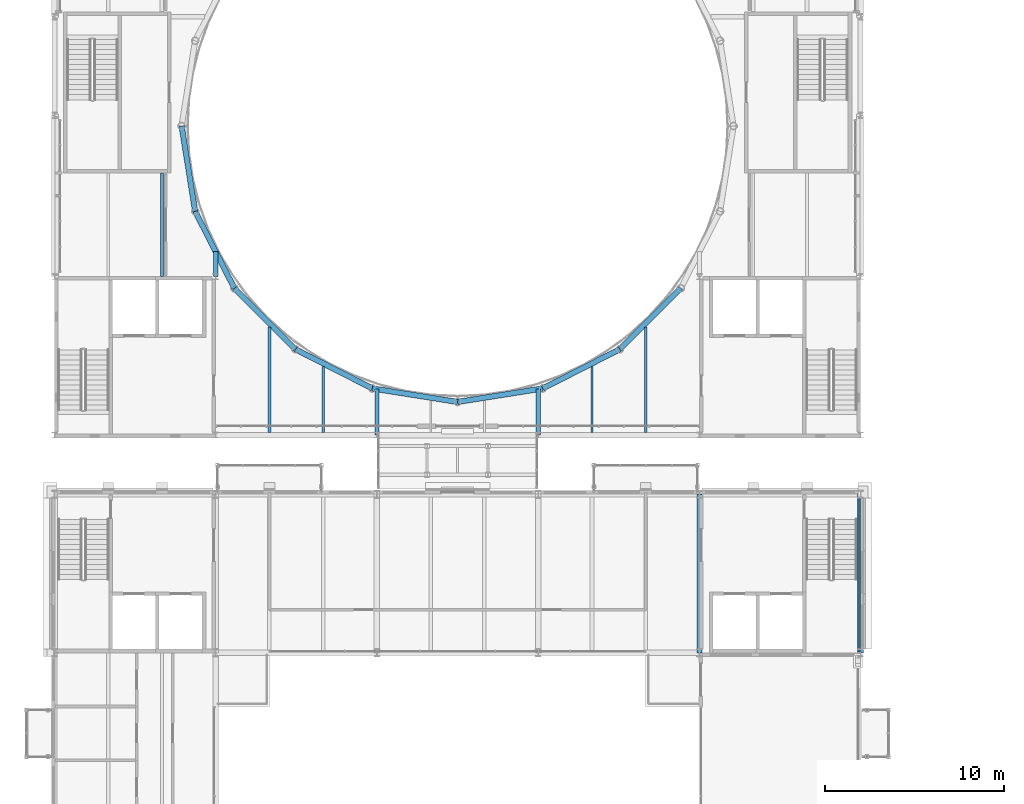
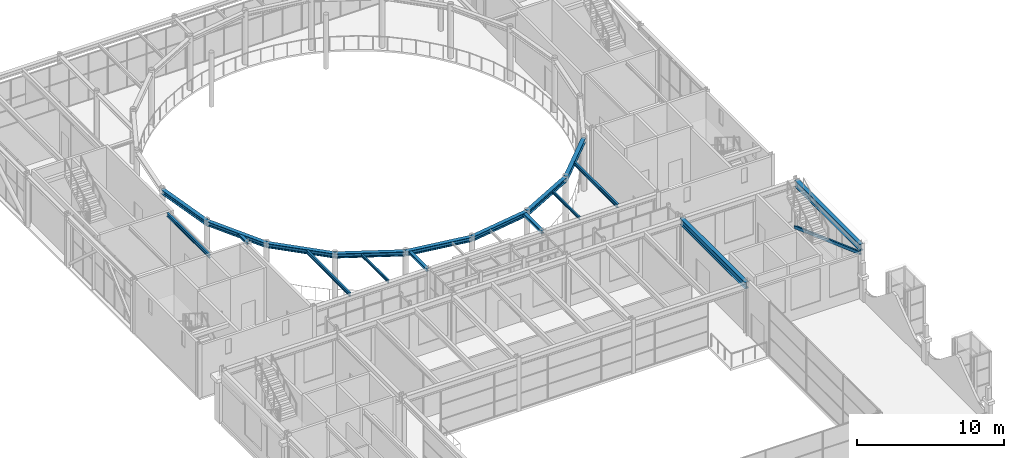
# One storey, part 41 of 111: 18 beams, 1 member.
"""IFC4 building model written with IfcOpenShell, lengths in metres."""

from ifc_helpers import new_model, si_unit, direction, frame, origin, origin_2d, place, context, subcontext, project, spatial, hollow_rectangle, i_section, extrude, material, material_profile, profile_set, type_object, element, save


model = new_model("IFC4")

# Units and contexts
model_context = context("Model", 3, precision=1e-05, world=origin(), true_north=direction((0.0, 1.0)))
body_context = subcontext(model_context, "Body", "Model", "MODEL_VIEW")
ifc_project = project(units=[si_unit("LENGTHUNIT", "METRE"), si_unit("AREAUNIT", "SQUARE_METRE"), si_unit("VOLUMEUNIT", "CUBIC_METRE"), si_unit("PLANEANGLEUNIT", "RADIAN"), si_unit("MASSUNIT", "GRAM", prefix="KILO")], contexts=[model_context])

# Site, building, storey
site_placement = place(None, origin())
site = spatial("IfcSite", under=ifc_project, at=site_placement, CompositionType="ELEMENT")
building_placement = place(site_placement, origin())
building = spatial("IfcBuilding", under=site, at=building_placement, Name="Kallimachos Central Library", CompositionType="ELEMENT")
storey_placement = place(building_placement, frame((0.0, 0.0, 14.39990234375)))
storey = spatial("IfcBuildingStorey", under=building, at=storey_placement, Name="L03", CompositionType="ELEMENT", Elevation=14.39990234375)

# Beams
ifc_material_1 = material(Name="Steel S355J2", Category="steel")
ifc_material_profile_1 = material_profile(ifc_material_1, i_section(OverallWidth=0.239990234375, OverallDepth=0.22998046875, WebThickness=0.007568359375, FlangeThickness=0.011962890625, FilletRadius=0.02099609375, at=origin_2d()), Name="HEA 240")
ifc_profile_set_1 = profile_set([ifc_material_profile_1], Name="Steel S355J2")
beam_type_1 = type_object("IfcBeamType", Name="HEA 240 beam", PredefinedType="BEAM", material=ifc_profile_set_1)
beam_1_placement = place(storey_placement, frame((74.5, 96.0, 4.235107421875), z_axis=(0.0, 1.0, 0.0), x_axis=(-1.0, 0.0, 0.0)))
element("IfcBeam", 1, at=beam_1_placement, inside=storey, type_object=beam_type_1, Name="V1-BEM-L03-025", PredefinedType="BEAM", context=body_context, shape_type="SweptSolid", body=[
    extrude(i_section(OverallWidth=0.239990234375, OverallDepth=0.22998046875, WebThickness=0.007568359375, FlangeThickness=0.011962890625, FilletRadius=0.02099609375, at=origin_2d()), origin(), (0.0, 0.0, 1.0), 1.391357421875),
])
for number, where, z_axis, x_axis, name in (
    (2, (83.5, 87.14990234375, 4.235107421875), (0.0, 1.0, 0.0), (-1.0, 0.0, 0.0), "V1-BEM-L03-028"),
    (3, (92.5, 87.14990234375, 4.235107421875), (0.0, 1.0, 0.0), (-1.0, 0.0, 0.0), "V1-BEM-L03-030"),
):
    element("IfcBeam", number, at=place(storey_placement, frame(where, z_axis=z_axis, x_axis=x_axis)), inside=storey, type_object=beam_type_1, Name=name, PredefinedType="BEAM", context=body_context, shape_type="SweptSolid", body=[
        extrude(i_section(OverallWidth=0.239990234375, OverallDepth=0.22998046875, WebThickness=0.007568359375, FlangeThickness=0.011962890625, FilletRadius=0.02099609375, at=origin_2d()), origin(), (0.0, 0.0, 1.0), 2.562744140625),
    ])
ifc_material_2 = material(Name="Steel S355J2", Category="steel")
ifc_material_profile_2 = material_profile(ifc_material_2, i_section(OverallWidth=0.300048828125, OverallDepth=0.360107421875, WebThickness=0.012451171875, FlangeThickness=0.0224609375, FilletRadius=0.027099609375, at=origin_2d()), Name="HEB 360")
ifc_profile_set_2 = profile_set([ifc_material_profile_2], Name="Steel S355J2")
beam_type_2 = type_object("IfcBeamType", Name="HEB 360 beam", PredefinedType="BEAM", material=ifc_profile_set_2)
for number, where, z_axis, x_axis, name in (
    (4, (72.60009765625, 104.39990234375, 4.170166015625), (0.156423119957, -0.987690137413, 0.0), (0.987690137413, 0.156423119957, 0.0), "V1-BEM-L03-011"),
    (5, (73.353759765625, 99.64111328125, 4.170166015625), (0.453970566426, -0.891016680438, 0.0), (0.891016680438, 0.453970566426, 0.0), "V1-BEM-L03-012"),
    (6, (75.541015625, 95.34814453125, 4.170166015625), (0.707106781187, -0.707106781187, 0.0), (0.707106781187, 0.707106781187, 0.0), "V1-BEM-L03-013"),
):
    element("IfcBeam", number, at=place(storey_placement, frame(where, z_axis=z_axis, x_axis=x_axis)), inside=storey, type_object=beam_type_2, Name=name, PredefinedType="BEAM", context=body_context, shape_type="SweptSolid", body=[
        extrude(i_section(OverallWidth=0.300048828125, OverallDepth=0.360107421875, WebThickness=0.012451171875, FlangeThickness=0.0224609375, FilletRadius=0.027099609375, at=origin_2d()), origin(), (0.0, 0.0, 1.0), 4.818115234375),
    ])
beam_2_placement = place(storey_placement, frame((78.947998046875, 91.941162109375, 4.170166015625), z_axis=(0.891006627269, -0.453990297432, 0.0), x_axis=(0.453990297432, 0.891006627269, 0.0)))
element("IfcBeam", 7, at=beam_2_placement, inside=storey, type_object=beam_type_2, Name="V1-BEM-L03-014", PredefinedType="BEAM", context=body_context, shape_type="SweptSolid", body=[
    extrude(i_section(OverallWidth=0.300048828125, OverallDepth=0.360107421875, WebThickness=0.012451171875, FlangeThickness=0.0224609375, FilletRadius=0.027099609375, at=origin_2d()), origin(), (0.0, 0.0, 1.0), 4.818359375),
])
for number, where, z_axis, x_axis, name in (
    (8, (83.2412109375, 89.753662109375, 4.170166015625), (0.987690137413, -0.156423119957, 0.0), (0.156423119957, 0.987690137413, 0.0), "V1-BEM-L03-015"),
    (9, (88.0, 89.0, 4.170166015625), (0.987690137413, 0.156423119957, 0.0), (-0.156423119957, 0.987690137413, 0.0), "V1-BEM-L03-016"),
):
    element("IfcBeam", number, at=place(storey_placement, frame(where, z_axis=z_axis, x_axis=x_axis)), inside=storey, type_object=beam_type_2, Name=name, PredefinedType="BEAM", context=body_context, shape_type="SweptSolid", body=[
        extrude(i_section(OverallWidth=0.300048828125, OverallDepth=0.360107421875, WebThickness=0.012451171875, FlangeThickness=0.0224609375, FilletRadius=0.027099609375, at=origin_2d()), origin(), (0.0, 0.0, 1.0), 4.818115234375),
    ])
beam_3_placement = place(storey_placement, frame((92.7587890625, 89.753662109375, 4.170166015625), z_axis=(0.891006627269, 0.453990297432, 0.0), x_axis=(-0.453990297432, 0.891006627269, 0.0)))
element("IfcBeam", 10, at=beam_3_placement, inside=storey, type_object=beam_type_2, Name="V1-BEM-L03-017", PredefinedType="BEAM", context=body_context, shape_type="SweptSolid", body=[
    extrude(i_section(OverallWidth=0.300048828125, OverallDepth=0.360107421875, WebThickness=0.012451171875, FlangeThickness=0.0224609375, FilletRadius=0.027099609375, at=origin_2d()), origin(), (0.0, 0.0, 1.0), 4.818359375),
])
beam_4_placement = place(storey_placement, frame((97.052001953125, 91.941162109375, 4.170166015625), z_axis=(0.707106781187, 0.707106781187, 0.0), x_axis=(-0.707106781187, 0.707106781187, 0.0)))
element("IfcBeam", 11, at=beam_4_placement, inside=storey, type_object=beam_type_2, Name="V1-BEM-L03-018", PredefinedType="BEAM", context=body_context, shape_type="SweptSolid", body=[
    extrude(i_section(OverallWidth=0.300048828125, OverallDepth=0.360107421875, WebThickness=0.012451171875, FlangeThickness=0.0224609375, FilletRadius=0.027099609375, at=origin_2d()), origin(), (0.0, 0.0, 1.0), 4.818115234375),
])
ifc_material_3 = material(Name="Steel S355J2", Category="steel")
ifc_material_profile_3 = material_profile(ifc_material_3, i_section(OverallWidth=0.300048828125, OverallDepth=0.550048828125, WebThickness=0.014892578125, FlangeThickness=0.029052734375, FilletRadius=0.027099609375, at=origin_2d()), Name="HEB 550")
ifc_profile_set_3 = profile_set([ifc_material_profile_3], Name="Steel S355J2")
beam_type_3 = type_object("IfcBeamType", Name="HEB 550 beam", PredefinedType="BEAM", material=ifc_profile_set_3)
for number, where, z_axis, x_axis, name in (
    (12, (101.5, 75.0, 4.025146484375), (0.0, 1.0, 0.0), (-1.0, 0.0, 0.0), "V4-BEM-L03-013"),
    (13, (110.5, 75.0, 4.025146484375), (0.0, 1.0, 0.0), (-1.0, 0.0, 0.0), "V4-BEM-L03-014"),
):
    element("IfcBeam", number, at=place(storey_placement, frame(where, z_axis=z_axis, x_axis=x_axis)), inside=storey, type_object=beam_type_3, Name=name, PredefinedType="BEAM", context=body_context, shape_type="SweptSolid", body=[
        extrude(i_section(OverallWidth=0.300048828125, OverallDepth=0.550048828125, WebThickness=0.014892578125, FlangeThickness=0.029052734375, FilletRadius=0.027099609375, at=origin_2d()), origin(), (0.0, 0.0, 1.0), 8.85009765625),
    ])
ifc_material_4 = material(Name="Steel S355J2", Category="steel")
ifc_material_profile_4 = material_profile(ifc_material_4, i_section(OverallWidth=0.1201171875, OverallDepth=0.239990234375, WebThickness=0.006103515625, FlangeThickness=0.009765625, FilletRadius=0.014892578125, at=origin_2d()), Name="IPE 240")
ifc_profile_set_4 = profile_set([ifc_material_profile_4], Name="Steel S355J2")
beam_type_4 = type_object("IfcBeamType", Name="IPE 240 beam", PredefinedType="BEAM", material=ifc_profile_set_4)
for number, where, z_axis, x_axis, name in (
    (14, (80.5, 87.300048828125, 4.22998046875), (0.0, 1.0, 0.0), (-1.0, 0.0, 0.0), "V1-BEM-L03-055"),
    (15, (95.5, 87.300048828125, 4.22998046875), (0.0, 1.0, 0.0), (-1.0, 0.0, 0.0), "V1-BEM-L03-061"),
):
    element("IfcBeam", number, at=place(storey_placement, frame(where, z_axis=z_axis, x_axis=x_axis)), inside=storey, type_object=beam_type_4, Name=name, PredefinedType="BEAM", context=body_context, shape_type="SweptSolid", body=[
        extrude(i_section(OverallWidth=0.1201171875, OverallDepth=0.239990234375, WebThickness=0.006103515625, FlangeThickness=0.009765625, FilletRadius=0.014892578125, at=origin_2d()), origin(), (0.0, 0.0, 1.0), 3.681884765625),
    ])
ifc_material_5 = material(Name="Steel S355J2", Category="steel")
ifc_material_profile_5 = material_profile(ifc_material_5, i_section(OverallWidth=0.14990234375, OverallDepth=0.300048828125, WebThickness=0.007080078125, FlangeThickness=0.0107421875, FilletRadius=0.014892578125, at=origin_2d()), Name="IPE 300")
ifc_profile_set_5 = profile_set([ifc_material_profile_5], Name="Steel S355J2")
beam_type_5 = type_object("IfcBeamType", Name="IPE 300 beam", PredefinedType="BEAM", material=ifc_profile_set_5)
beam_5_placement = place(storey_placement, frame((71.5, 96.0048828125, 4.2001953125), z_axis=(0.0, 1.0, 0.0), x_axis=(-1.0, 0.0, 0.0)))
element("IfcBeam", 16, at=beam_5_placement, inside=storey, type_object=beam_type_5, Name="V1-BEM-L03-051", PredefinedType="BEAM", context=body_context, shape_type="SweptSolid", body=[
    extrude(i_section(OverallWidth=0.14990234375, OverallDepth=0.300048828125, WebThickness=0.007080078125, FlangeThickness=0.0107421875, FilletRadius=0.014892578125, at=origin_2d()), origin(), (0.0, 0.0, 1.0), 5.76513671875),
])
for number, where, z_axis, x_axis, name in (
    (17, (77.5, 87.300048828125, 4.2001953125), (0.0, 1.0, 0.0), (-1.0, 0.0, 0.0), "V1-BEM-L03-053"),
    (18, (98.5, 87.300048828125, 4.2001953125), (0.0, 1.0, 0.0), (-1.0, 0.0, 0.0), "V1-BEM-L03-063"),
):
    element("IfcBeam", number, at=place(storey_placement, frame(where, z_axis=z_axis, x_axis=x_axis)), inside=storey, type_object=beam_type_5, Name=name, PredefinedType="BEAM", context=body_context, shape_type="SweptSolid", body=[
        extrude(i_section(OverallWidth=0.14990234375, OverallDepth=0.300048828125, WebThickness=0.007080078125, FlangeThickness=0.0107421875, FilletRadius=0.014892578125, at=origin_2d()), origin(), (0.0, 0.0, 1.0), 5.876953125),
    ])

# Member
ifc_material_6 = material(Name="Steel S355J2H", Category="steel")
ifc_material_profile_6 = material_profile(ifc_material_6, hollow_rectangle(XDim=0.14990234375, YDim=0.25, WallThickness=0.010009765625, InnerFilletRadius=0.010009765625, OuterFilletRadius=0.014892578125, at=origin_2d()), Name="RHS 250x150x10")
ifc_profile_set_6 = profile_set([ifc_material_profile_6], Name="Steel S355J2H")
member_type = type_object("IfcMemberType", Name="RHS 250x150x10 brace", PredefinedType="BRACE", material=ifc_profile_set_6)
member_placement = place(storey_placement, frame((110.39990234375, 83.85009765625, 0.400146484375), z_axis=(0.0, -0.94041523715, 0.340028207264), x_axis=(1.0, 0.0, 0.0)))
element("IfcMember", 19, at=member_placement, inside=storey, type_object=member_type, Name="V4-MEM-L03-002", PredefinedType="BRACE", context=body_context, shape_type="SweptSolid", body=[
    extrude(hollow_rectangle(XDim=0.14990234375, YDim=0.25, WallThickness=0.010009765625, InnerFilletRadius=0.010009765625, OuterFilletRadius=0.014892578125, at=origin_2d()), origin(), (0.0, 0.0, 1.0), 9.410888671875),
])

save(model, "model.ifc")
